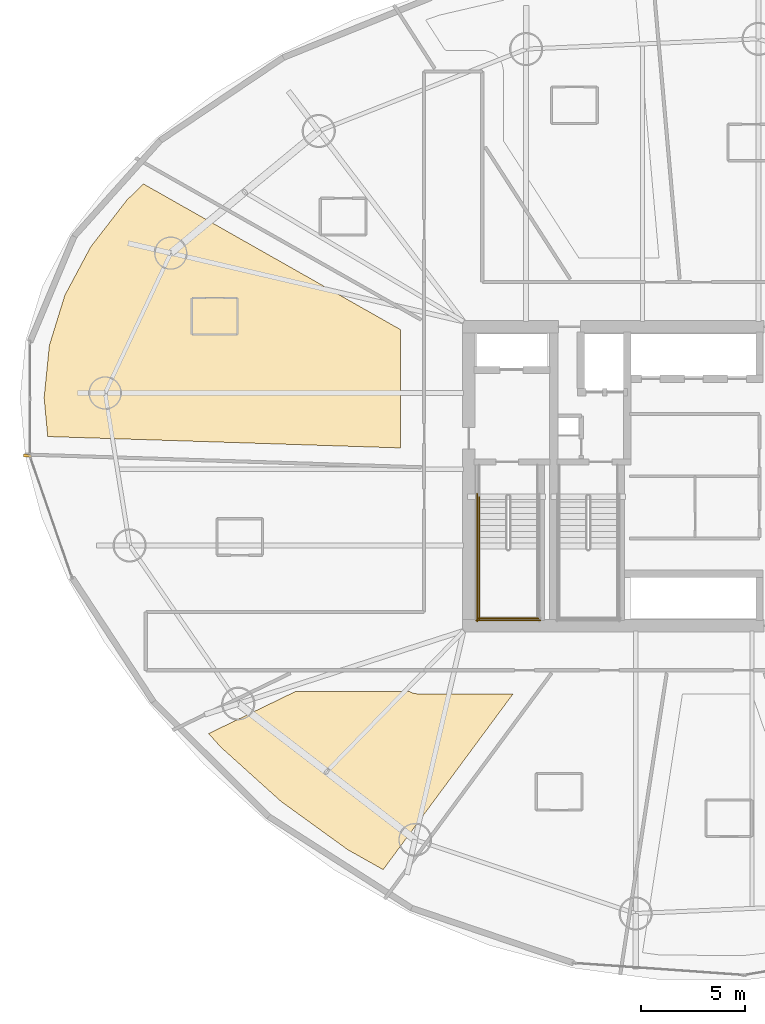
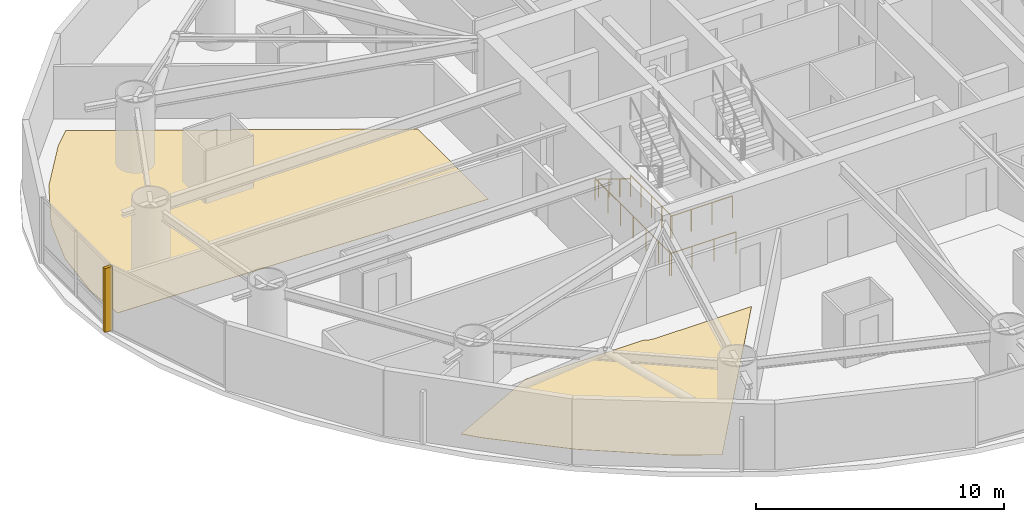
# One storey, part 24 of 27: 5 railings, 2 coverings, 1 shading device.
"""IFC4 building model written with IfcOpenShell, lengths in metres."""

from ifc_helpers import new_model, si_unit, direction, frame, origin, origin_2d, place, context, subcontext, project, spatial, polyline, rectangle, circle, outline, extrude, material, layer, layer_set, type_object, element, save


model = new_model("IFC4")

# Units and contexts
model_context = context("Model", 3, precision=1e-05, world=origin(), true_north=direction((0.0, 1.0)))
body_context = subcontext(model_context, "Body", "Model", "MODEL_VIEW")
ifc_project = project(units=[si_unit("LENGTHUNIT", "METRE"), si_unit("AREAUNIT", "SQUARE_METRE"), si_unit("VOLUMEUNIT", "CUBIC_METRE"), si_unit("PLANEANGLEUNIT", "RADIAN"), si_unit("MASSUNIT", "GRAM", prefix="KILO")], contexts=[model_context])

# Site, building, storey
site_placement = place(None, origin())
site = spatial("IfcSite", under=ifc_project, at=site_placement, CompositionType="ELEMENT")
building_placement = place(site_placement, origin())
building = spatial("IfcBuilding", under=site, at=building_placement, Name="Bramvorn Convention Spire", CompositionType="ELEMENT")
storey_placement = place(building_placement, frame((0.0, 0.0, 79.89990234375)))
storey = spatial("IfcBuildingStorey", under=building, at=storey_placement, Name="L18", CompositionType="ELEMENT", Elevation=79.89990234375)

# Coverings
ifc_material_1 = material(Name="Solution-Dyed Wool Broadloom Hospitality Carpet", Category="textile")
ifc_layer = layer(ifc_material_1, 0.014892578125)
ifc_layer_set = layer_set([ifc_layer], Name="Solution-Dyed Wool Broadloom Hospitality Carpet - FLR-CARPET-15")
covering_type = type_object("IfcCoveringType", Name="FLR-CARPET-15", PredefinedType="FLOORING", material=ifc_layer_set)
covering_1_placement = place(storey_placement, origin())
element("IfcCovering", 1, at=covering_1_placement, inside=storey, type_object=covering_type, Name="Hotel Suite 1806 wool broadloom carpet", PredefinedType="FLOORING", context=body_context, shape_type="SweptSolid", body=[
    extrude(outline(polyline([(6.542724609375, 29.777099609375), (6.71435546875, 27.908935546875), (23.699951171875, 27.361328125), (23.699951171875, 33.06884765625), (11.327880859375, 40.07958984375), (10.5263671875, 39.302001953125), (8.78173828125, 37.0439453125), (7.536865234375, 34.708251953125), (6.79248046875, 32.29248046875), (6.542724609375, 29.777099609375)])), origin(), (0.0, 0.0, 1.0), 0.01513671875),
])
covering_2_placement = place(storey_placement, origin())
element("IfcCovering", 2, at=covering_2_placement, inside=storey, type_object=covering_type, Name="Hotel Suite 1808 wool broadloom carpet", PredefinedType="FLOORING", context=body_context, shape_type="SweptSolid", body=[
    extrude(outline(polyline([(21.167724609375, 8.00537109375), (22.87451171875, 7.044921875), (29.122314453125, 15.5), (24.60009765625, 15.5), (24.338623046875, 15.538818359375), (24.13623046875, 15.6298828125), (18.656982421875, 15.6298828125), (14.464111328125, 13.598876953125), (15.06298828125, 12.9365234375), (17.95458984375, 10.3310546875), (21.167724609375, 8.00537109375)])), origin(), (0.0, 0.0, 1.0), 0.01513671875),
])

# Railings
ifc_material_2 = material(Name="Painted Steel Balustrade & Guardrail", Category="steel")
railing_type_1 = type_object("IfcRailingType", Name="RL-STAIR-GUARD-1100", PredefinedType="GUARDRAIL", material=ifc_material_2)
railing_1_placement = place(storey_placement, frame((27.5, 22.485107421875, 1.75)))
element("IfcRailing", 3, at=railing_1_placement, inside=storey, type_object=railing_type_1, Name="L18 ST1 stair guard 3", PredefinedType="GUARDRAIL", context=body_context, shape_type="SweptSolid", body=[
    extrude(circle(Radius=0.02392578125, at=origin_2d()), frame((0.0, 0.0, 1.076171875), z_axis=(0.0, -1.0, 0.0), x_axis=(1.0, 0.0, 0.0)), (0.0, 0.0, 1.0), 3.385009765625),
    extrude(circle(Radius=0.02099609375, at=origin_2d()), origin(), (0.0, 0.0, 1.0), 1.052001953125),
    extrude(circle(Radius=0.02099609375, at=origin_2d()), frame((0.0, -0.84619140625, 0.0)), (0.0, 0.0, 1.0), 1.052001953125),
    extrude(circle(Radius=0.02099609375, at=origin_2d()), frame((0.0, -1.6923828125, 0.0)), (0.0, 0.0, 1.0), 1.052001953125),
    extrude(circle(Radius=0.02099609375, at=origin_2d()), frame((0.0, -2.538818359375, 0.0)), (0.0, 0.0, 1.0), 1.052001953125),
    extrude(circle(Radius=0.02099609375, at=origin_2d()), frame((0.0, -3.385009765625, 0.0)), (0.0, 0.0, 1.0), 1.052001953125),
])
railing_2_placement = place(storey_placement, frame((27.449951171875, 19.14990234375, 1.75)))
element("IfcRailing", 4, at=railing_2_placement, inside=storey, type_object=railing_type_1, Name="L18 ST1 stair guard 5", PredefinedType="GUARDRAIL", context=body_context, shape_type="SweptSolid", body=[
    extrude(circle(Radius=0.02392578125, at=origin_2d()), frame((0.0, 0.0, 1.076171875), z_axis=(1.0, 0.0, 0.0), x_axis=(0.0, 1.0, 0.0)), (0.0, 0.0, 1.0), 2.900146484375),
    extrude(circle(Radius=0.02099609375, at=origin_2d()), origin(), (0.0, 0.0, 1.0), 1.052001953125),
    extrude(circle(Radius=0.02099609375, at=origin_2d()), frame((0.966796875, 0.0, 0.0)), (0.0, 0.0, 1.0), 1.052001953125),
    extrude(circle(Radius=0.02099609375, at=origin_2d()), frame((1.933349609375, 0.0, 0.0)), (0.0, 0.0, 1.0), 1.052001953125),
    extrude(circle(Radius=0.02099609375, at=origin_2d()), frame((2.900146484375, 0.0, 0.0)), (0.0, 0.0, 1.0), 1.052001953125),
])
railing_3_placement = place(storey_placement, frame((27.39990234375, 25.14990234375, 0.0)))
element("IfcRailing", 5, at=railing_3_placement, inside=storey, type_object=railing_type_1, Name="L18 ST1 stair guard 10", PredefinedType="GUARDRAIL", context=body_context, shape_type="SweptSolid", body=[
    extrude(circle(Radius=0.02392578125, at=origin_2d()), frame((0.0, 0.0, 1.076171875), z_axis=(0.0, -1.0, 0.0), x_axis=(1.0, 0.0, 0.0)), (0.0, 0.0, 1.0), 6.14990234375),
    extrude(circle(Radius=0.02099609375, at=origin_2d()), origin(), (0.0, 0.0, 1.0), 1.052001953125),
    extrude(circle(Radius=0.02099609375, at=origin_2d()), frame((0.0, -1.02490234375, 0.0)), (0.0, 0.0, 1.0), 1.052001953125),
    extrude(circle(Radius=0.02099609375, at=origin_2d()), frame((0.0, -2.050048828125, 0.0)), (0.0, 0.0, 1.0), 1.052001953125),
    extrude(circle(Radius=0.02099609375, at=origin_2d()), frame((0.0, -3.074951171875, 0.0)), (0.0, 0.0, 1.0), 1.052001953125),
    extrude(circle(Radius=0.02099609375, at=origin_2d()), frame((0.0, -4.099853515625, 0.0)), (0.0, 0.0, 1.0), 1.052001953125),
    extrude(circle(Radius=0.02099609375, at=origin_2d()), frame((0.0, -5.125, 0.0)), (0.0, 0.0, 1.0), 1.052001953125),
    extrude(circle(Radius=0.02099609375, at=origin_2d()), frame((0.0, -6.14990234375, 0.0)), (0.0, 0.0, 1.0), 1.052001953125),
])
railing_4_placement = place(storey_placement, frame((27.35009765625, 19.050048828125, 0.0)))
element("IfcRailing", 6, at=railing_4_placement, inside=storey, type_object=railing_type_1, Name="L18 ST1 stair guard 12", PredefinedType="GUARDRAIL", context=body_context, shape_type="SweptSolid", body=[
    extrude(circle(Radius=0.02392578125, at=origin_2d()), frame((0.0, 0.0, 1.076171875), z_axis=(1.0, 0.0, 0.0), x_axis=(0.0, 1.0, 0.0)), (0.0, 0.0, 1.0), 3.099853515625),
    extrude(circle(Radius=0.02099609375, at=origin_2d()), origin(), (0.0, 0.0, 1.0), 1.052001953125),
    extrude(circle(Radius=0.02099609375, at=origin_2d()), frame((1.033203125, 0.0, 0.0)), (0.0, 0.0, 1.0), 1.052001953125),
    extrude(circle(Radius=0.02099609375, at=origin_2d()), frame((2.066650390625, 0.0, 0.0)), (0.0, 0.0, 1.0), 1.052001953125),
    extrude(circle(Radius=0.02099609375, at=origin_2d()), frame((3.099853515625, 0.0, 0.0)), (0.0, 0.0, 1.0), 1.052001953125),
])
ifc_material_3 = material(Name="Brushed Bronze Tubular Handrail", Category="aluminium")
railing_type_2 = type_object("IfcRailingType", Name="RL-STAIR-HR-920", PredefinedType="HANDRAIL", material=ifc_material_3)
railing_5_placement = place(storey_placement, frame((27.5, 25.050048828125, 0.175048828125)))
element("IfcRailing", 7, at=railing_5_placement, inside=storey, type_object=railing_type_2, Name="L18 ST1 stair handrail 1", PredefinedType="HANDRAIL", context=body_context, shape_type="SweptSolid", body=[
    extrude(circle(Radius=0.02392578125, at=origin_2d()), frame((0.0, 0.0, 0.89599609375), z_axis=(0.0, -0.852173129349, 0.523259933127), x_axis=(1.0, 0.0, 0.0)), (0.0, 0.0, 1.0), 3.009765625),
    extrude(circle(Radius=0.02099609375, at=origin_2d()), origin(), (0.0, 0.0, 1.0), 0.871826171875),
    extrude(circle(Radius=0.02099609375, at=origin_2d()), frame((0.0, -0.85498046875, 0.52490234375)), (0.0, 0.0, 1.0), 0.871826171875),
    extrude(circle(Radius=0.02099609375, at=origin_2d()), frame((0.0, -1.7099609375, 1.050048828125)), (0.0, 0.0, 1.0), 0.871826171875),
    extrude(circle(Radius=0.02099609375, at=origin_2d()), frame((0.0, -2.56494140625, 1.574951171875)), (0.0, 0.0, 1.0), 0.871826171875),
])

# Shading device
ifc_material_4 = material(Name="Extruded Champagne Bronze Aluminium Lancet Fin", Category="aluminium")
shading_device_type = type_object("IfcShadingDeviceType", Name="SHD-FIN-LANCET", PredefinedType="SHUTTER", material=ifc_material_4)
shading_device_placement = place(storey_placement, frame((5.736083984375, 26.985595703125, 0.050048828125), z_axis=(0.0, 0.0, 1.0), x_axis=(-0.999533864179, 0.030529565328, 0.0)))
element("IfcShadingDevice", 8, at=shading_device_placement, inside=storey, type_object=shading_device_type, Name="L18 Gothic bronze wind-corner fin 13", PredefinedType="SHUTTER", context=body_context, shape_type="SweptSolid", body=[
    extrude(rectangle(XDim=0.360107421875, YDim=0.139892578125, at=origin_2d()), origin(), (0.0, 0.0, 1.0), 3.14990234375),
])

save(model, "model.ifc")
